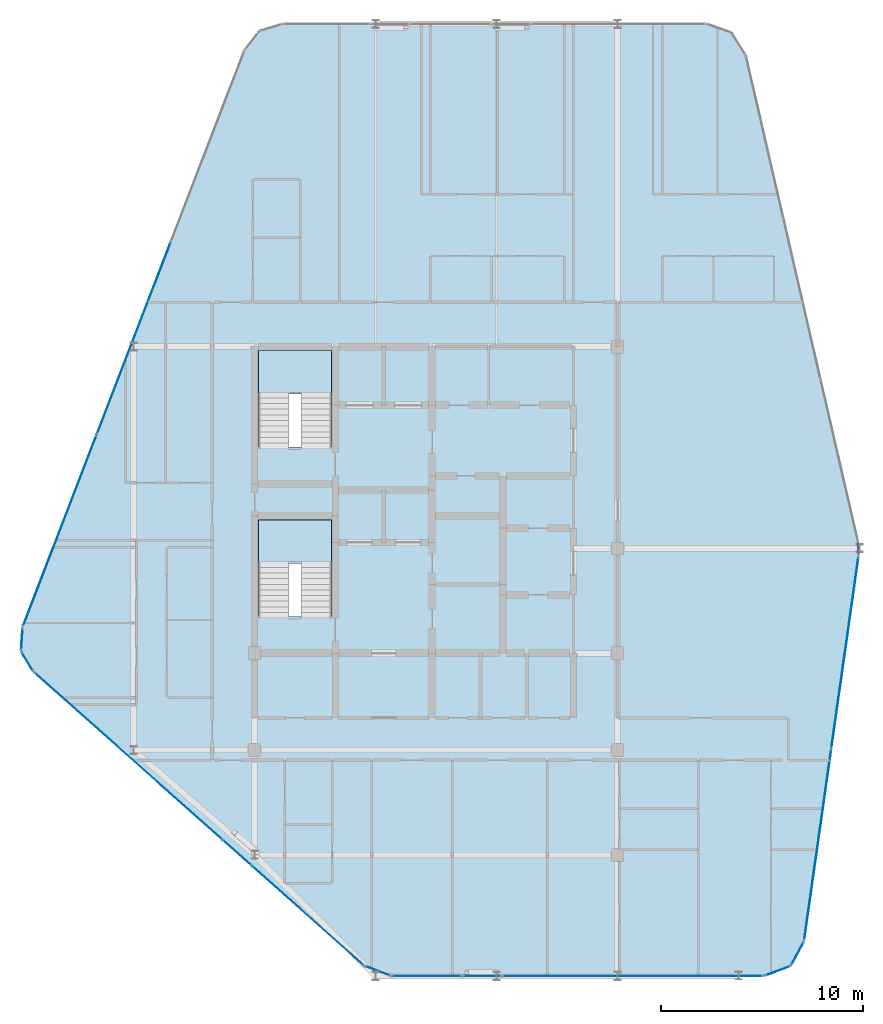
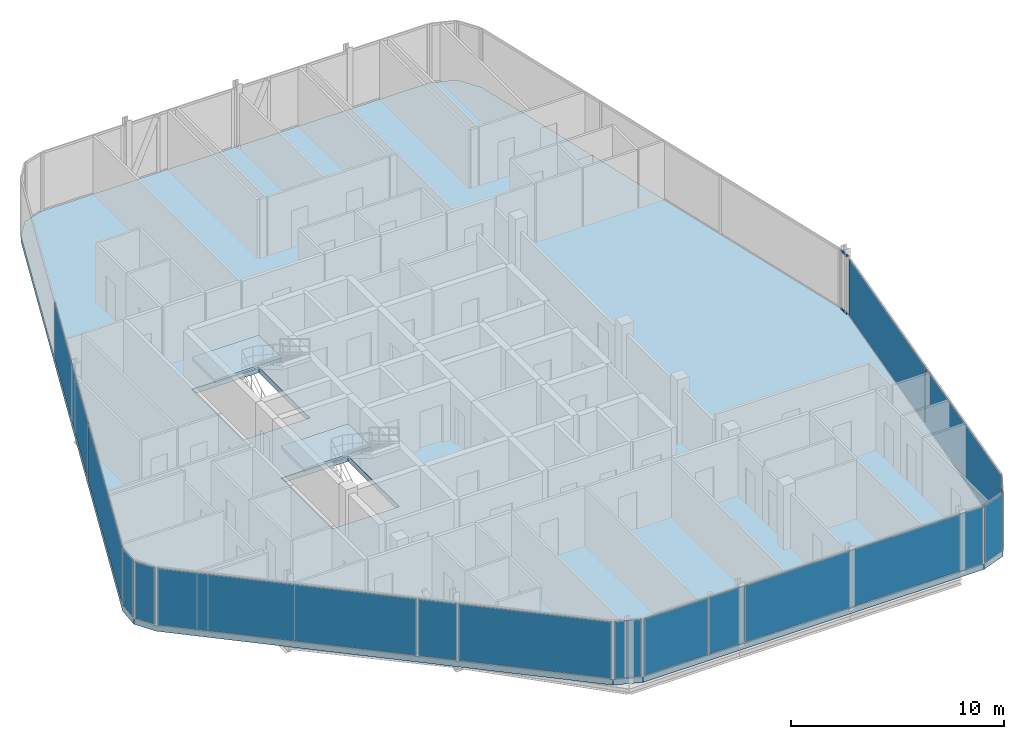
# One storey, part 20 of 27: 15 plates, 3 slabs, 2 members, 16 elements without a shape of their own.
"""IFC4 building model written with IfcOpenShell, lengths in metres."""

from ifc_helpers import new_model, si_unit, direction, frame, origin, origin_2d, place, context, subcontext, project, spatial, polyline, rectangle, hollow_rectangle, outline, extrude, material, layer, layer_set, material_profile, profile_set, type_object, element, aggregate, save


model = new_model("IFC4")

# Units and contexts
model_context = context("Model", 3, precision=1e-05, world=origin(), true_north=direction((0.0, 1.0)))
body_context = subcontext(model_context, "Body", "Model", "MODEL_VIEW")
ifc_project = project(units=[si_unit("LENGTHUNIT", "METRE"), si_unit("AREAUNIT", "SQUARE_METRE"), si_unit("VOLUMEUNIT", "CUBIC_METRE"), si_unit("PLANEANGLEUNIT", "RADIAN"), si_unit("MASSUNIT", "GRAM", prefix="KILO")], contexts=[model_context])

# Site, building, storey
site_placement = place(None, origin())
site = spatial("IfcSite", under=ifc_project, at=site_placement, CompositionType="ELEMENT")
building_placement = place(site_placement, origin())
building = spatial("IfcBuilding", under=site, at=building_placement, Name="Keshet Zoharim Tower", CompositionType="ELEMENT")
storey_placement = place(building_placement, frame((0.0, 0.0, 284.300048828125)))
storey = spatial("IfcBuildingStorey", under=building, at=storey_placement, Name="L71", CompositionType="ELEMENT", Elevation=284.300048828125)

# Curtain wall, members
ifc_material_1 = material(Name="Aluminium 6063-T6", Category="aluminium")
ifc_layer_1 = layer(ifc_material_1, 0.260009765625)
ifc_layer_set_1 = layer_set([ifc_layer_1], Name="Aluminium 6063-T6")
curtain_wall_type = type_object("IfcCurtainWallType", Name="CW-SYS-06", PredefinedType="NOTDEFINED", material=ifc_layer_set_1)
curtain_wall_1_placement = place(storey_placement, origin())
curtain_wall_1 = element("IfcCurtainWall", 1, at=curtain_wall_1_placement, inside=storey, type_object=curtain_wall_type, Name="L71 Unitised Curtain Wall 10", PredefinedType="NOTDEFINED")
ifc_material_profile = material_profile(ifc_material_1, hollow_rectangle(XDim=0.074951171875, YDim=0.1201171875, WallThickness=0.00390625, at=origin_2d()), Name="TRN-75x120")
ifc_profile_set = profile_set([ifc_material_profile], Name="Aluminium 6063-T6")
member_type = type_object("IfcMemberType", Name="CWT-T12", PredefinedType="USERDEFINED", material=ifc_profile_set)
member_1_placement = place(storey_placement, frame((44.9189453125, 28.192138671875, 0.034912109375), z_axis=(0.043813905352, -0.99903970977, 0.0), x_axis=(0.99903970977, 0.043813905352, 0.0)))
member_1 = element("IfcMember", 2, at=member_1_placement, type_object=member_type, Name="CW-06 transom 1.1", ObjectType="TRANSOM", PredefinedType="USERDEFINED", context=body_context, shape_type="SweptSolid", body=[
    extrude(hollow_rectangle(XDim=0.074951171875, YDim=0.1201171875, WallThickness=0.00390625, at=origin_2d()), origin(), (0.0, 0.0, 1.0), 0.590576171875),
])
member_2_placement = place(storey_placement, frame((44.9189453125, 28.192138671875, 3.35498046875), z_axis=(0.043813905352, -0.99903970977, 0.0), x_axis=(0.99903970977, 0.043813905352, 0.0)))
member_2 = element("IfcMember", 3, at=member_2_placement, type_object=member_type, Name="CW-06 transom 1.2", ObjectType="TRANSOM", PredefinedType="USERDEFINED", context=body_context, shape_type="SweptSolid", body=[
    extrude(hollow_rectangle(XDim=0.074951171875, YDim=0.1201171875, WallThickness=0.00390625, at=origin_2d()), origin(), (0.0, 0.0, 1.0), 0.590576171875),
])
aggregate(curtain_wall_1, [member_1, member_2])

# Curtain wall, plate
curtain_wall_2_placement = place(storey_placement, origin())
curtain_wall_2 = element("IfcCurtainWall", 4, at=curtain_wall_2_placement, inside=storey, type_object=curtain_wall_type, Name="L71 Unitised Curtain Wall 01", PredefinedType="NOTDEFINED")
ifc_material_2 = material(Name="Insulated Low-E Clear Glass", Category="glass")
ifc_layer_2 = layer(ifc_material_2, 0.028076171875)
ifc_layer_set_2 = layer_set([ifc_layer_2], Name="Insulated Low-E Clear Glass")
plate_type_1 = type_object("IfcPlateType", Name="CWP-03", PredefinedType="CURTAIN_PANEL", material=ifc_layer_set_2)
plate_1_placement = place(storey_placement, frame((3.7275390625, 22.291015625, 0.070068359375), z_axis=(0.0, 0.0, 1.0), x_axis=(-0.515604947933, 0.856826433805, 0.0)))
plate_1 = element("IfcPlate", 5, at=plate_1_placement, type_object=plate_type_1, Name="CW-06 panel 1.1", PredefinedType="CURTAIN_PANEL", context=body_context, shape_type="SweptSolid", body=[
    extrude(rectangle(XDim=1.052734375, YDim=0.028076171875, at=origin_2d()), origin(), (0.0, 0.0, 1.0), 3.25),
])
aggregate(curtain_wall_2, [plate_1])

curtain_wall_3_placement = place(storey_placement, origin())
curtain_wall_3 = element("IfcCurtainWall", 6, at=curtain_wall_3_placement, inside=storey, type_object=curtain_wall_type, Name="L71 Unitised Curtain Wall 02", PredefinedType="NOTDEFINED")
plate_2_placement = place(storey_placement, frame((3.45849609375, 23.3974609375, 0.070068359375), z_axis=(0.0, 0.0, 1.0), x_axis=(0.064516859374, 0.997916617186, 0.0)))
plate_2 = element("IfcPlate", 7, at=plate_2_placement, type_object=plate_type_1, Name="CW-06 panel 1.1", PredefinedType="CURTAIN_PANEL", context=body_context, shape_type="SweptSolid", body=[
    extrude(rectangle(XDim=1.053466796875, YDim=0.028076171875, at=origin_2d()), origin(), (0.0, 0.0, 1.0), 3.25),
])
aggregate(curtain_wall_3, [plate_2])

# Curtain wall, plates
curtain_wall_4_placement = place(storey_placement, origin())
curtain_wall_4 = element("IfcCurtainWall", 8, at=curtain_wall_4_placement, inside=storey, type_object=curtain_wall_type, Name="L71 Unitised Curtain Wall 03", PredefinedType="NOTDEFINED")
plate_3_placement = place(storey_placement, frame((5.33837890625, 28.7802734375, 0.070068359375), z_axis=(0.0, 0.0, 1.0), x_axis=(0.358990003907, 0.933341404361, 0.0)))
plate_3 = element("IfcPlate", 9, at=plate_3_placement, type_object=plate_type_1, Name="CW-06 panel 1.1", PredefinedType="CURTAIN_PANEL", context=body_context, shape_type="SweptSolid", body=[
    extrude(rectangle(XDim=10.1181640625, YDim=0.028076171875, at=origin_2d()), origin(), (0.0, 0.0, 1.0), 3.25),
])
plate_4_placement = place(storey_placement, frame((9.001953125, 38.305419921875, 0.070068359375), z_axis=(0.0, 0.0, 1.0), x_axis=(0.358990003907, 0.933341404361, 0.0)))
plate_4 = element("IfcPlate", 10, at=plate_4_placement, type_object=plate_type_1, Name="CW-06 panel 2.1", PredefinedType="CURTAIN_PANEL", context=body_context, shape_type="SweptSolid", body=[
    extrude(rectangle(XDim=10.153076171875, YDim=0.028076171875, at=origin_2d()), origin(), (0.0, 0.0, 1.0), 3.25),
])
aggregate(curtain_wall_4, [plate_3, plate_4])

curtain_wall_5_placement = place(storey_placement, origin())
curtain_wall_5 = element("IfcCurtainWall", 11, at=curtain_wall_5_placement, inside=storey, type_object=curtain_wall_type, Name="L71 Unitised Curtain Wall 11", PredefinedType="NOTDEFINED")
plate_5_placement = place(storey_placement, frame((44.269287109375, 22.736572265625, 0.070068359375), z_axis=(0.0, 0.0, 1.0), x_axis=(-0.140137464177, -0.990132057422, 0.0)))
plate_5 = element("IfcPlate", 12, at=plate_5_placement, type_object=plate_type_1, Name="CW-06 panel 1.1", PredefinedType="CURTAIN_PANEL", context=body_context, shape_type="SweptSolid", body=[
    extrude(rectangle(XDim=9.546142578125, YDim=0.028076171875, at=origin_2d()), origin(), (0.0, 0.0, 1.0), 3.25),
])
plate_6_placement = place(storey_placement, frame((42.921630859375, 13.21533203125, 0.070068359375), z_axis=(0.0, 0.0, 1.0), x_axis=(-0.140137464177, -0.990132057422, 0.0)))
plate_6 = element("IfcPlate", 13, at=plate_6_placement, type_object=plate_type_1, Name="CW-06 panel 2.1", PredefinedType="CURTAIN_PANEL", context=body_context, shape_type="SweptSolid", body=[
    extrude(rectangle(XDim=9.546142578125, YDim=0.028076171875, at=origin_2d()), origin(), (0.0, 0.0, 1.0), 3.25),
])
aggregate(curtain_wall_5, [plate_5, plate_6])

# Curtain wall, plate
curtain_wall_6_placement = place(storey_placement, origin())
curtain_wall_6 = element("IfcCurtainWall", 14, at=curtain_wall_6_placement, inside=storey, type_object=curtain_wall_type, Name="L71 Unitised Curtain Wall 12", PredefinedType="NOTDEFINED")
plate_7_placement = place(storey_placement, frame((41.908447265625, 7.804931640625, 0.070068359375), z_axis=(0.0, 0.0, 1.0), x_axis=(-0.477800955789, -0.878468125004, 0.0)))
plate_7 = element("IfcPlate", 15, at=plate_7_placement, type_object=plate_type_1, Name="CW-06 panel 1.1", PredefinedType="CURTAIN_PANEL", context=body_context, shape_type="SweptSolid", body=[
    extrude(rectangle(XDim=1.26025390625, YDim=0.028076171875, at=origin_2d()), origin(), (0.0, 0.0, 1.0), 3.25),
])
aggregate(curtain_wall_6, [plate_7])

curtain_wall_7_placement = place(storey_placement, origin())
curtain_wall_7 = element("IfcCurtainWall", 16, at=curtain_wall_7_placement, inside=storey, type_object=curtain_wall_type, Name="L71 Unitised Curtain Wall 13", PredefinedType="NOTDEFINED")
plate_8_placement = place(storey_placement, frame((40.91845703125, 6.945068359375, 0.070068359375), z_axis=(0.0, 0.0, 1.0), x_axis=(-0.936710343781, -0.350105315376, 0.0)))
plate_8 = element("IfcPlate", 17, at=plate_8_placement, type_object=plate_type_1, Name="CW-06 panel 1.1", PredefinedType="CURTAIN_PANEL", context=body_context, shape_type="SweptSolid", body=[
    extrude(rectangle(XDim=1.259521484375, YDim=0.028076171875, at=origin_2d()), origin(), (0.0, 0.0, 1.0), 3.25),
])
aggregate(curtain_wall_7, [plate_8])

curtain_wall_8_placement = place(storey_placement, origin())
curtain_wall_8 = element("IfcCurtainWall", 18, at=curtain_wall_8_placement, inside=storey, type_object=curtain_wall_type, Name="L71 Unitised Curtain Wall 14", PredefinedType="NOTDEFINED")
plate_9_placement = place(storey_placement, frame((33.743896484375, 6.699951171875, 0.070068359375), z_axis=(0.0, 0.0, 1.0), x_axis=(-1.0, 0.0, 0.0)))
plate_9 = element("IfcPlate", 19, at=plate_9_placement, type_object=plate_type_1, Name="CW-06 panel 1.1", PredefinedType="CURTAIN_PANEL", context=body_context, shape_type="SweptSolid", body=[
    extrude(rectangle(XDim=12.898193359375, YDim=0.028076171875, at=origin_2d()), origin(), (0.0, 0.0, 1.0), 3.25),
])
aggregate(curtain_wall_8, [plate_9])

curtain_wall_9_placement = place(storey_placement, origin())
curtain_wall_9 = element("IfcCurtainWall", 20, at=curtain_wall_9_placement, inside=storey, type_object=curtain_wall_type, Name="L71 Unitised Curtain Wall 14 Part 3", PredefinedType="NOTDEFINED")
plate_10_placement = place(storey_placement, frame((23.552490234375, 6.699951171875, 0.070068359375), z_axis=(0.0, 0.0, 1.0), x_axis=(-1.0, 0.0, 0.0)))
plate_10 = element("IfcPlate", 21, at=plate_10_placement, type_object=plate_type_1, Name="CW-06 panel 1.1", PredefinedType="CURTAIN_PANEL", context=body_context, shape_type="SweptSolid", body=[
    extrude(rectangle(XDim=3.4453125, YDim=0.028076171875, at=origin_2d()), origin(), (0.0, 0.0, 1.0), 3.25),
])
aggregate(curtain_wall_9, [plate_10])

curtain_wall_10_placement = place(storey_placement, origin())
curtain_wall_10 = element("IfcCurtainWall", 22, at=curtain_wall_10_placement, inside=storey, type_object=curtain_wall_type, Name="L71 Unitised Curtain Wall 15", PredefinedType="NOTDEFINED")
plate_11_placement = place(storey_placement, frame((21.095947265625, 6.952392578125, 0.070068359375), z_axis=(0.0, 0.0, 1.0), x_axis=(-0.934699418314, 0.355439161326, 0.0)))
plate_11 = element("IfcPlate", 23, at=plate_11_placement, type_object=plate_type_1, Name="CW-06 panel 1.1", PredefinedType="CURTAIN_PANEL", context=body_context, shape_type="SweptSolid", body=[
    extrude(rectangle(XDim=1.28076171875, YDim=0.028076171875, at=origin_2d()), origin(), (0.0, 0.0, 1.0), 3.25),
])
aggregate(curtain_wall_10, [plate_11])

curtain_wall_11_placement = place(storey_placement, origin())
curtain_wall_11 = element("IfcCurtainWall", 24, at=curtain_wall_11_placement, inside=storey, type_object=curtain_wall_type, Name="L71 Unitised Curtain Wall 16", PredefinedType="NOTDEFINED")
plate_12_placement = place(storey_placement, frame((17.634521484375, 9.691650390625, 0.070068359375), z_axis=(0.0, 0.0, 1.0), x_axis=(-0.747410792699, 0.664362180559, 0.0)))
plate_12 = element("IfcPlate", 25, at=plate_12_placement, type_object=plate_type_1, Name="CW-06 panel 1.1", PredefinedType="CURTAIN_PANEL", context=body_context, shape_type="SweptSolid", body=[
    extrude(rectangle(XDim=7.345947265625, YDim=0.028076171875, at=origin_2d()), origin(), (0.0, 0.0, 1.0), 3.25),
])
aggregate(curtain_wall_11, [plate_12])

curtain_wall_12_placement = place(storey_placement, origin())
curtain_wall_12 = element("IfcCurtainWall", 26, at=curtain_wall_12_placement, inside=storey, type_object=curtain_wall_type, Name="L71 Unitised Curtain Wall 16 Part 3", PredefinedType="NOTDEFINED")
plate_13_placement = place(storey_placement, frame((8.7333984375, 17.603515625, 0.070068359375), z_axis=(0.0, 0.0, 1.0), x_axis=(-0.747409318679, 0.664363838836, 0.0)))
plate_13 = element("IfcPlate", 27, at=plate_13_placement, type_object=plate_type_1, Name="CW-06 panel 1.1", PredefinedType="CURTAIN_PANEL", context=body_context, shape_type="SweptSolid", body=[
    extrude(rectangle(XDim=12.432861328125, YDim=0.028076171875, at=origin_2d()), origin(), (0.0, 0.0, 1.0), 3.25),
])
aggregate(curtain_wall_12, [plate_13])

curtain_wall_13_placement = place(storey_placement, origin())
curtain_wall_13 = element("IfcCurtainWall", 28, at=curtain_wall_13_placement, inside=storey, type_object=curtain_wall_type, Name="L71 Unitised Curtain Wall 14 Part 2", PredefinedType="NOTDEFINED")
ifc_material_3 = material(Name="Insulated Aluminium Spandrel Panel", Category="aluminium")
ifc_layer_3 = layer(ifc_material_3, 0.028076171875)
ifc_layer_set_3 = layer_set([ifc_layer_3], Name="Insulated Aluminium Spandrel Panel")
plate_type_2 = type_object("IfcPlateType", Name="CWP-06", PredefinedType="CURTAIN_PANEL", material=ifc_layer_set_3)
plate_14_placement = place(storey_placement, frame((26.284912109375, 6.699951171875, 0.070068359375), z_axis=(0.0, 0.0, 1.0), x_axis=(-1.0, 0.0, 0.0)))
plate_14 = element("IfcPlate", 29, at=plate_14_placement, type_object=plate_type_2, Name="CW-06 spandrel panel 1.1", PredefinedType="CURTAIN_PANEL", context=body_context, shape_type="SweptSolid", body=[
    extrude(rectangle(XDim=1.879638671875, YDim=0.028076171875, at=origin_2d()), origin(), (0.0, 0.0, 1.0), 3.25),
])
aggregate(curtain_wall_13, [plate_14])

curtain_wall_14_placement = place(storey_placement, origin())
curtain_wall_14 = element("IfcCurtainWall", 30, at=curtain_wall_14_placement, inside=storey, type_object=curtain_wall_type, Name="L71 Unitised Curtain Wall 16 Part 2", PredefinedType="NOTDEFINED")
plate_15_placement = place(storey_placement, frame((14.134521484375, 12.802734375, 0.070068359375), z_axis=(0.0, 0.0, 1.0), x_axis=(-0.747431957629, 0.664338369143, 0.0)))
plate_15 = element("IfcPlate", 31, at=plate_15_placement, type_object=plate_type_2, Name="CW-06 spandrel panel 1.1", PredefinedType="CURTAIN_PANEL", context=body_context, shape_type="SweptSolid", body=[
    extrude(rectangle(XDim=1.879638671875, YDim=0.028076171875, at=origin_2d()), origin(), (0.0, 0.0, 1.0), 3.25),
])
aggregate(curtain_wall_14, [plate_15])

# Stair, slab
ifc_material_4 = material(Name="Concrete C50/60", Category="concrete")
stair_type = type_object("IfcStairType", Name="STR-EXIT-135", PredefinedType="HALF_TURN_STAIR", material=ifc_material_4)
stair_1_placement = place(storey_placement, origin())
stair_1 = element("IfcStair", 32, at=stair_1_placement, inside=storey, type_object=stair_type, Name="L71 Enclosed Exit Stair ST-01", PredefinedType="HALF_TURN_STAIR")
ifc_layer_4 = layer(ifc_material_4, 0.199951171875)
ifc_layer_set_4 = layer_set([ifc_layer_4], Name="Concrete C50/60")
slab_type_1 = type_object("IfcSlabType", Name="SLB-LND-200", PredefinedType="LANDING", material=ifc_layer_set_4)
slab_1_placement = place(storey_placement, frame((0.0, 0.0, 1.64990234375)))
slab_1 = element("IfcSlab", 33, at=slab_1_placement, type_object=slab_type_1, Name="ST-01 landing 1", PredefinedType="LANDING", context=body_context, shape_type="SweptSolid", body=[
    extrude(outline(polyline([(15.179931640625, 27.159912109375), (18.820068359375, 27.159912109375), (18.820068359375, 29.320068359375), (15.179931640625, 29.320068359375), (15.179931640625, 27.159912109375)])), origin(), (0.0, 0.0, 1.0), 0.199951171875),
])
aggregate(stair_1, [slab_1])

stair_2_placement = place(storey_placement, origin())
stair_2 = element("IfcStair", 34, at=stair_2_placement, inside=storey, type_object=stair_type, Name="L71 Enclosed Exit Stair ST-02", PredefinedType="HALF_TURN_STAIR")
slab_2_placement = place(storey_placement, frame((0.0, 0.0, 1.64990234375)))
slab_2 = element("IfcSlab", 35, at=slab_2_placement, type_object=slab_type_1, Name="ST-02 landing 1", PredefinedType="LANDING", context=body_context, shape_type="SweptSolid", body=[
    extrude(outline(polyline([(15.179931640625, 35.56005859375), (18.820068359375, 35.56005859375), (18.820068359375, 37.719970703125), (15.179931640625, 37.719970703125), (15.179931640625, 35.56005859375)])), origin(), (0.0, 0.0, 1.0), 0.199951171875),
])
aggregate(stair_2, [slab_2])

# Slab
ifc_layer_5 = layer(ifc_material_4, 0.31005859375)
ifc_layer_set_5 = layer_set([ifc_layer_5], Name="Concrete C50/60")
slab_type_2 = type_object("IfcSlabType", Name="SLB-UPP-240", PredefinedType="FLOOR", material=ifc_layer_set_5)
slab_3_placement = place(storey_placement, frame((0.0, 0.0, -0.31005859375)))
element("IfcSlab", 36, at=slab_3_placement, inside=storey, type_object=slab_type_2, Name="L71 Structural Floor Slab 1", PredefinedType="FLOOR", context=body_context, shape_type="SweptSolid", body=[
    extrude(outline(polyline([(4.034912109375, 21.780029296875), (3.419921875, 22.802001953125), (3.4970703125, 23.992919921875), (14.507080078125, 52.617919921875), (15.240966796875, 53.549072265625), (16.3740234375, 53.89990234375), (37.408935546875, 53.89990234375), (38.654052734375, 53.465087890625), (39.35791015625, 52.35009765625), (44.916015625, 28.261962890625), (44.947998046875, 27.531982421875), (42.242919921875, 8.419921875), (41.573974609375, 7.18994140625), (40.262939453125, 6.699951171875), (21.760009765625, 6.699951171875), (20.431884765625, 7.205078125), (4.034912109375, 21.780029296875)]), holes=[polyline([(15.179931640625, 24.52001953125), (18.820068359375, 24.52001953125), (18.820068359375, 29.320068359375), (15.179931640625, 29.320068359375), (15.179931640625, 24.52001953125)]), polyline([(15.179931640625, 32.919921875), (18.820068359375, 32.919921875), (18.820068359375, 37.719970703125), (15.179931640625, 37.719970703125), (15.179931640625, 32.919921875)])]), origin(), (0.0, 0.0, 1.0), 0.31005859375),
])

save(model, "model.ifc")
